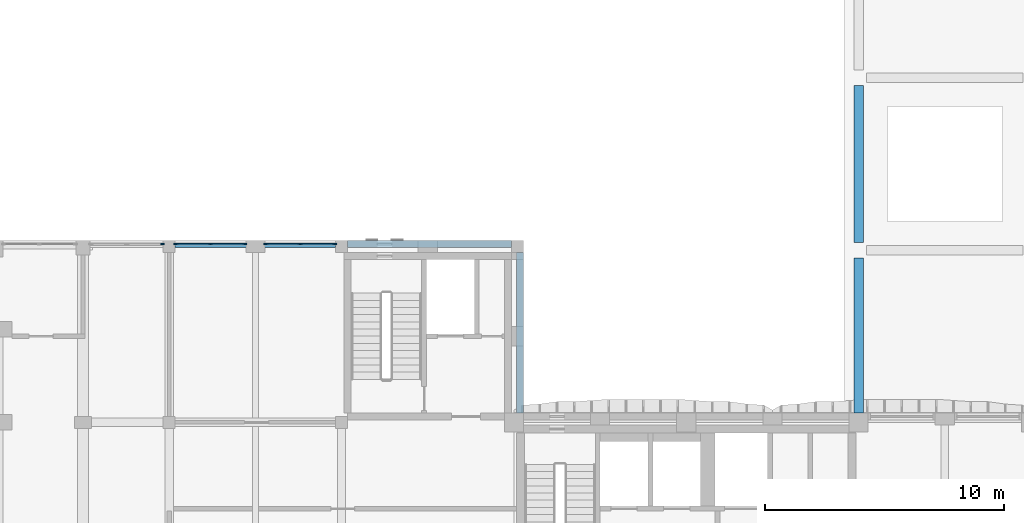
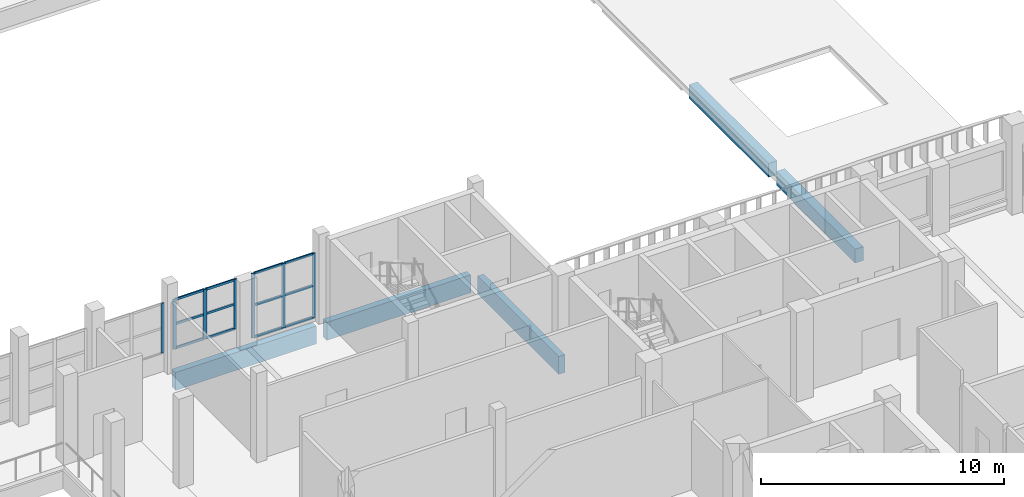
# One storey, part 11 of 59: 19 members, 5 beams, 3 elements without a shape of their own.
"""IFC4 building model written with IfcOpenShell, lengths in metres."""

import ifcopenshell
import ifcopenshell.guid

model = None  # the IFC model being written
_history = None  # IfcOwnerHistory: only IFC2X3 demands one
_inside = {}  # id of a spatial element -> (the spatial element, [elements in it])
_under = {}  # id of a project, library or spatial element -> (it, [spatial elements below it])
_declared = {}  # id of a project -> (the project, [libraries it declares])
_typed = {}  # id of a type object -> (the type object, [elements of that type])
_made_of = {}  # id of a material, layer set ... -> (it, [elements and type objects made of it])


def new_model(schema):
    """Start an empty IFC model of exactly this schema.

    Asked for "IFC4X3", IfcOpenShell would pick the latest addendum, in which some entities
    have other attributes; the version numbers below select the first issue.
    IFC2X3 requires an IfcOwnerHistory on every rooted entity: one is made here for all.
    """
    global model, _history
    if schema == "IFC4X3":
        model = ifcopenshell.file(schema_version=(4, 3, 0, 0))
    else:
        model = ifcopenshell.file(schema=schema)
    _inside.clear()
    _under.clear()
    _declared.clear()
    _typed.clear()
    _made_of.clear()
    _history = None
    if model.schema == "IFC2X3":
        org = make("IfcOrganization", Name="unknown")
        user = make(
            "IfcPersonAndOrganization",
            ThePerson=make("IfcPerson", FamilyName="unknown"),
            TheOrganization=org,
        )
        app = make(
            "IfcApplication",
            ApplicationDeveloper=org,
            Version="unknown",
            ApplicationFullName="unknown",
            ApplicationIdentifier="unknown",
        )
        _history = make(
            "IfcOwnerHistory",
            OwningUser=user,
            OwningApplication=app,
            ChangeAction="ADDED",
            CreationDate=0,
        )
    return model


def make(cls, **values):
    """One entity of the class cls with the attributes given. An attribute that is None is left unset."""
    return model.create_entity(
        cls, **{name: value for name, value in values.items() if value is not None}
    )


def rooted(cls, **values):
    """An entity with a GlobalId (a new one), such as an element, a storey or a relation."""
    return make(cls, GlobalId=ifcopenshell.guid.new(), OwnerHistory=_history, **values)


def si_unit(unit_type, name, prefix=None):
    """IfcSIUnit, for example si_unit("LENGTHUNIT", "METRE", prefix="MILLI")."""
    return make("IfcSIUnit", UnitType=unit_type, Prefix=prefix, Name=name)


def assignment(units):
    """IfcUnitAssignment: the units of a project."""
    return None if units is None else make("IfcUnitAssignment", Units=units)


def point(xyz):
    """IfcCartesianPoint."""
    return None if xyz is None else make("IfcCartesianPoint", Coordinates=xyz)


def direction(xyz):
    """IfcDirection."""
    return None if xyz is None else make("IfcDirection", DirectionRatios=xyz)


def frame(location, z_axis=None, x_axis=None):
    """IfcAxis2Placement3D, a coordinate frame: its origin and axes. An axis left out is left unset."""
    return make(
        "IfcAxis2Placement3D",
        Location=point(location),
        Axis=direction(z_axis),
        RefDirection=direction(x_axis),
    )


def frame_2d(location, x_axis=None):
    """IfcAxis2Placement2D, a coordinate frame in the plane: its origin and x axis."""
    return make(
        "IfcAxis2Placement2D", Location=point(location), RefDirection=direction(x_axis)
    )


def origin():
    """The frame at (0, 0, 0) with its axes left unset."""
    return frame((0.0, 0.0, 0.0))


def origin_2d():
    """The frame at (0, 0) in the plane with its x axis left unset."""
    return frame_2d((0.0, 0.0))


def place(relative_to, where):
    """IfcLocalPlacement: puts the frame where relative to a parent placement (None: the world)."""
    return make(
        "IfcLocalPlacement", PlacementRelTo=relative_to, RelativePlacement=where
    )


def context(
    kind, dimensions, precision=None, world=None, true_north=None, identifier=None
):
    """IfcGeometricRepresentationContext, for example the 3D "Model" context."""
    return make(
        "IfcGeometricRepresentationContext",
        ContextIdentifier=identifier,
        ContextType=kind,
        CoordinateSpaceDimension=dimensions,
        Precision=precision,
        WorldCoordinateSystem=world,
        TrueNorth=true_north,
    )


def subcontext(parent, identifier, kind, view, scale=None):
    """IfcGeometricRepresentationSubContext, for example "Body" below "Model"."""
    return make(
        "IfcGeometricRepresentationSubContext",
        ContextIdentifier=identifier,
        ContextType=kind,
        ParentContext=parent,
        TargetScale=scale,
        TargetView=view,
    )


def project(units=None, contexts=None):
    """IfcProject with its units and contexts."""
    return rooted(
        "IfcProject",
        Name="project",
        RepresentationContexts=contexts,
        UnitsInContext=assignment(units),
    )


def spatial(cls, under=None, at=None, **own):
    """A site, building, storey or space (cls), placed at a placement, below another one or the project."""
    s = rooted(cls, ObjectPlacement=at, **own)
    if under is not None:
        _under.setdefault(under.id(), (under, []))[1].append(s)
    return s


def profile(cls, at=None, kind="AREA", **sizes):
    """A parametric profile (cls). Its sizes go by their IFC names, for example OverallWidth=200.0."""
    return make(cls, ProfileType=kind, Position=at, **sizes)


def rectangle(**sizes):
    """IfcRectangleProfileDef."""
    return profile("IfcRectangleProfileDef", **sizes)


def extrude(swept, where, along, depth):
    """IfcExtrudedAreaSolid: the profile swept, set in the frame where, extruded along a direction by depth."""
    return make(
        "IfcExtrudedAreaSolid",
        SweptArea=swept,
        Position=where,
        ExtrudedDirection=direction(along),
        Depth=depth,
    )


def shape(context_of_items, identifier, shape_type, items):
    """IfcShapeRepresentation: the items that make up one representation, for example the "Body"."""
    return make(
        "IfcShapeRepresentation",
        ContextOfItems=context_of_items,
        RepresentationIdentifier=identifier,
        RepresentationType=shape_type,
        Items=items,
    )


def material(Name=None, Category=None):
    """IfcMaterial."""
    return make("IfcMaterial", Name=Name, Category=Category)


def layer(
    of_material, thickness, ventilated=None, Name=None, Category=None, Priority=None
):
    """IfcMaterialLayer: one layer of a wall or slab, of a material (None: an air gap)."""
    return make(
        "IfcMaterialLayer",
        Material=of_material,
        LayerThickness=thickness,
        IsVentilated=ventilated,
        Name=Name,
        Category=Category,
        Priority=Priority,
    )


def layer_set(layers, Name=None):
    """IfcMaterialLayerSet."""
    return make("IfcMaterialLayerSet", MaterialLayers=layers, LayerSetName=Name)


def material_profile(
    of_material, cross_section, Name=None, Category=None, Priority=None
):
    """IfcMaterialProfile: a cross section and its material."""
    return make(
        "IfcMaterialProfile",
        Name=Name,
        Material=of_material,
        Profile=cross_section,
        Priority=Priority,
        Category=Category,
    )


def profile_set(profiles, Name=None, composite=None):
    """IfcMaterialProfileSet."""
    return make(
        "IfcMaterialProfileSet",
        Name=Name,
        MaterialProfiles=profiles,
        CompositeProfile=composite,
    )


def made_of(thing, what):
    """Note that an element or type object is made of a material, layer set ...; save() writes the relation."""
    if what is not None:
        _made_of.setdefault(what.id(), (what, []))[1].append(thing)
    return thing


def type_object(cls, material=None, **own):
    """A type object (cls), such as IfcWallType, which elements share."""
    return made_of(rooted(cls, **own), material)


def element(
    cls,
    number,
    at=None,
    inside=None,
    cuts=None,
    type_object=None,
    material=None,
    context=None,
    identifier="Body",
    shape_type=None,
    held_by="IfcProductDefinitionShape",
    body=None,
    shapes=None,
    **own,
):
    """One element of the class cls, such as IfcWall. Its Tag is "e" and its number.

    at: its placement. inside: the storey or other place that contains it. cuts: it is an
    opening in that element (IfcRelVoidsElement). A single representation is given by context,
    identifier, shape_type and body (its items); several are given by shapes. held_by: the class
    of the entity that holds the representations. save() writes the other relations.
    """
    e = rooted(cls, Tag="e%d" % number, ObjectPlacement=at, **own)
    if body is not None:
        shapes = [shape(context, identifier, shape_type, body)]
    if shapes is not None:
        e.Representation = make(held_by, Representations=shapes)
    if inside is not None:
        _inside.setdefault(inside.id(), (inside, []))[1].append(e)
    if cuts is not None:
        rooted(
            "IfcRelVoidsElement", RelatingBuildingElement=cuts, RelatedOpeningElement=e
        )
    if type_object is not None:
        _typed.setdefault(type_object.id(), (type_object, []))[1].append(e)
    return made_of(e, material)


def aggregate(whole, parts):
    """IfcRelAggregates: a whole, such as a stair, and the parts it consists of."""
    return rooted("IfcRelAggregates", RelatingObject=whole, RelatedObjects=parts)


def save(model, path):
    """Write the relations noted so far, then the file.

    IfcRelAggregates (storeys below a building ...), IfcRelContainedInSpatialStructure (elements
    in a storey), IfcRelDefinesByType, IfcRelAssociatesMaterial and IfcRelDeclares: one each for
    every whole, place, type object, material and project.
    """
    for whole, parts in _under.values():
        aggregate(whole, parts)
    for where, things in _inside.values():
        rooted(
            "IfcRelContainedInSpatialStructure",
            RelatedElements=things,
            RelatingStructure=where,
        )
    for kind, things in _typed.values():
        rooted("IfcRelDefinesByType", RelatedObjects=things, RelatingType=kind)
    for what, things in _made_of.values():
        rooted("IfcRelAssociatesMaterial", RelatedObjects=things, RelatingMaterial=what)
    for by, libraries in _declared.values():
        rooted("IfcRelDeclares", RelatingContext=by, RelatedDefinitions=libraries)
    model.write(path)


model = new_model("IFC4")

# Units and contexts
model_context = context("Model", 3, precision=1e-05, world=origin(), true_north=direction((0.0, 1.0)))
body_context = subcontext(model_context, "Body", "Model", "MODEL_VIEW")
ifc_project = project(units=[si_unit("LENGTHUNIT", "METRE"), si_unit("AREAUNIT", "SQUARE_METRE"), si_unit("VOLUMEUNIT", "CUBIC_METRE"), si_unit("PLANEANGLEUNIT", "RADIAN"), si_unit("MASSUNIT", "GRAM", prefix="KILO")], contexts=[model_context])

# Site, building, storey
site_placement = place(None, origin())
site = spatial("IfcSite", under=ifc_project, at=site_placement, CompositionType="ELEMENT")
building_placement = place(site_placement, origin())
building = spatial("IfcBuilding", under=site, at=building_placement, Name="Ussher Court Research Institute", CompositionType="ELEMENT")
storey_placement = place(building_placement, frame((0.0, 0.0, 5.39990234375)))
storey = spatial("IfcBuildingStorey", under=building, at=storey_placement, Name="L01", CompositionType="ELEMENT", Elevation=5.39990234375)

# Curtain wall, member
ifc_material_1 = material(Name="Bronze anodised aluminium with insulated low-e glass", Category="aluminium")
ifc_layer_1 = layer(ifc_material_1, 0.1201171875)
ifc_layer_set_1 = layer_set([ifc_layer_1], Name="Bronze anodised aluminium with insulated low-e glass")
curtain_wall_type_1 = type_object("IfcCurtainWallType", Name="Curtain wall reading link court front", PredefinedType="NOTDEFINED", material=ifc_layer_set_1)
curtain_wall_1_placement = place(storey_placement, origin())
curtain_wall_1 = element("IfcCurtainWall", 1, at=curtain_wall_1_placement, inside=storey, type_object=curtain_wall_type_1, Name="Curtain wall CW7 L01", PredefinedType="NOTDEFINED")
ifc_material_2 = material(Name="Bronze anodised aluminium", Category="aluminium")
ifc_material_profile_1 = material_profile(ifc_material_2, rectangle(XDim=0.06005859375, YDim=0.159912109375, at=origin_2d()), Name="Mullion 60x160")
ifc_profile_set_1 = profile_set([ifc_material_profile_1], Name="Bronze anodised aluminium")
member_type_1 = type_object("IfcMemberType", Name="Mullion 60x160", PredefinedType="MULLION", material=ifc_profile_set_1)
member_1_placement = place(storey_placement, frame((67.52001953125, 40.25, 0.900146484375), z_axis=(0.0, 0.0, 1.0), x_axis=(0.0, 1.0, 0.0)))
member_1 = element("IfcMember", 2, at=member_1_placement, type_object=member_type_1, Name="CW7 mullion 3", PredefinedType="MULLION", context=body_context, shape_type="SweptSolid", body=[
    extrude(rectangle(XDim=0.06005859375, YDim=0.159912109375, at=origin_2d()), origin(), (0.0, 0.0, 1.0), 2.5),
])
aggregate(curtain_wall_1, [member_1])

# Curtain wall, members
curtain_wall_2_placement = place(storey_placement, origin())
curtain_wall_2 = element("IfcCurtainWall", 3, at=curtain_wall_2_placement, inside=storey, type_object=curtain_wall_type_1, Name="Curtain wall CW7 L01", PredefinedType="NOTDEFINED")
member_2_placement = place(storey_placement, frame((68.080078125, 40.25, 0.900146484375), z_axis=(0.0, 0.0, 1.0), x_axis=(0.0, 1.0, 0.0)))
member_2 = element("IfcMember", 4, at=member_2_placement, type_object=member_type_1, Name="CW7 mullion 1", PredefinedType="MULLION", context=body_context, shape_type="SweptSolid", body=[
    extrude(rectangle(XDim=0.06005859375, YDim=0.159912109375, at=origin_2d()), origin(), (0.0, 0.0, 1.0), 2.5),
])
member_3_placement = place(storey_placement, frame((69.52490234375, 40.25, 0.900146484375), z_axis=(0.0, 0.0, 1.0), x_axis=(0.0, 1.0, 0.0)))
member_3 = element("IfcMember", 5, at=member_3_placement, type_object=member_type_1, Name="CW7 mullion 2", PredefinedType="MULLION", context=body_context, shape_type="SweptSolid", body=[
    extrude(rectangle(XDim=0.06005859375, YDim=0.159912109375, at=origin_2d()), origin(), (0.0, 0.0, 1.0), 2.5),
])
member_4_placement = place(storey_placement, frame((70.969970703125, 40.25, 0.900146484375), z_axis=(0.0, 0.0, 1.0), x_axis=(0.0, 1.0, 0.0)))
member_4 = element("IfcMember", 6, at=member_4_placement, type_object=member_type_1, Name="CW7 mullion 3", PredefinedType="MULLION", context=body_context, shape_type="SweptSolid", body=[
    extrude(rectangle(XDim=0.06005859375, YDim=0.159912109375, at=origin_2d()), origin(), (0.0, 0.0, 1.0), 2.5),
])

ifc_material_3 = material(Name="Bronze anodised aluminium with fire-resisting glass", Category="aluminium")
ifc_layer_2 = layer(ifc_material_3, 0.1201171875)
ifc_layer_set_2 = layer_set([ifc_layer_2], Name="Bronze anodised aluminium with fire-resisting glass")
curtain_wall_type_2 = type_object("IfcCurtainWallType", Name="Curtain wall stair-side fire-resisting glazing", PredefinedType="NOTDEFINED", material=ifc_layer_set_2)
curtain_wall_3_placement = place(storey_placement, origin())
curtain_wall_3 = element("IfcCurtainWall", 7, at=curtain_wall_3_placement, inside=storey, type_object=curtain_wall_type_2, Name="Curtain wall CW13 L01", PredefinedType="NOTDEFINED")
member_5_placement = place(storey_placement, frame((71.830078125, 40.25, 0.150146484375), z_axis=(0.0, 0.0, 1.0), x_axis=(0.0, 1.0, 0.0)))
member_5 = element("IfcMember", 8, at=member_5_placement, type_object=member_type_1, Name="CW13 mullion 1", PredefinedType="MULLION", context=body_context, shape_type="SweptSolid", body=[
    extrude(rectangle(XDim=0.06005859375, YDim=0.159912109375, at=origin_2d()), origin(), (0.0, 0.0, 1.0), 3.25),
])
member_6_placement = place(storey_placement, frame((73.27490234375, 40.25, 0.150146484375), z_axis=(0.0, 0.0, 1.0), x_axis=(0.0, 1.0, 0.0)))
member_6 = element("IfcMember", 9, at=member_6_placement, type_object=member_type_1, Name="CW13 mullion 2", PredefinedType="MULLION", context=body_context, shape_type="SweptSolid", body=[
    extrude(rectangle(XDim=0.06005859375, YDim=0.159912109375, at=origin_2d()), origin(), (0.0, 0.0, 1.0), 3.25),
])
member_7_placement = place(storey_placement, frame((74.719970703125, 40.25, 0.150146484375), z_axis=(0.0, 0.0, 1.0), x_axis=(0.0, 1.0, 0.0)))
member_7 = element("IfcMember", 10, at=member_7_placement, type_object=member_type_1, Name="CW13 mullion 3", PredefinedType="MULLION", context=body_context, shape_type="SweptSolid", body=[
    extrude(rectangle(XDim=0.06005859375, YDim=0.159912109375, at=origin_2d()), origin(), (0.0, 0.0, 1.0), 3.25),
])

# Beams
ifc_material_4 = material(Name="Concrete C35/45", Category="concrete")
ifc_material_profile_2 = material_profile(ifc_material_4, rectangle(XDim=0.300048828125, YDim=0.89990234375, at=origin_2d()), Name="RC 300x900")
ifc_profile_set_2 = profile_set([ifc_material_profile_2], Name="Concrete C35/45")
beam_type_1 = type_object("IfcBeamType", Name="RC 300x900 beam", PredefinedType="BEAM", material=ifc_profile_set_2)
beam_1_placement = place(storey_placement, frame((68.050048828125, 40.25, -0.64990234375), z_axis=(1.0, 0.0, 0.0), x_axis=(0.0, 1.0, 0.0)))
element("IfcBeam", 11, at=beam_1_placement, inside=storey, type_object=beam_type_1, Name="SB2 V7 L01-09", PredefinedType="BEAM", context=body_context, shape_type="SweptSolid", body=[
    extrude(rectangle(XDim=0.300048828125, YDim=0.89990234375, at=origin_2d()), origin(), (0.0, 0.0, 1.0), 6.699951171875),
])
beam_2_placement = place(storey_placement, frame((75.25, 40.25, -0.64990234375), z_axis=(1.0, 0.0, 0.0), x_axis=(0.0, 1.0, 0.0)))
element("IfcBeam", 12, at=beam_2_placement, inside=storey, type_object=beam_type_1, Name="SB2 V7 L01-10", PredefinedType="BEAM", context=body_context, shape_type="SweptSolid", body=[
    extrude(rectangle(XDim=0.300048828125, YDim=0.89990234375, at=origin_2d()), origin(), (0.0, 0.0, 1.0), 6.85009765625),
])
beam_3_placement = place(storey_placement, frame((82.449951171875, 33.199951171875, -0.64990234375), z_axis=(0.0, 1.0, 0.0), x_axis=(-1.0, 0.0, 0.0)))
element("IfcBeam", 13, at=beam_3_placement, inside=storey, type_object=beam_type_1, Name="SB2 V7 L01-14", PredefinedType="BEAM", context=body_context, shape_type="SweptSolid", body=[
    extrude(rectangle(XDim=0.300048828125, YDim=0.89990234375, at=origin_2d()), origin(), (0.0, 0.0, 1.0), 6.699951171875),
])
ifc_material_5 = material(Name="Concrete C35/45", Category="concrete")
ifc_material_profile_3 = material_profile(ifc_material_5, rectangle(XDim=0.39990234375, YDim=0.699951171875, at=origin_2d()), Name="RC 400x700")
ifc_profile_set_3 = profile_set([ifc_material_profile_3], Name="Concrete C35/45")
beam_type_2 = type_object("IfcBeamType", Name="RC 400x700 beam", PredefinedType="BEAM", material=ifc_profile_set_3)
beam_4_placement = place(storey_placement, frame((96.60009765625, 33.199951171875, -0.08984375), z_axis=(0.0, 1.0, 0.0), x_axis=(-1.0, 0.0, 0.0)))
element("IfcBeam", 14, at=beam_4_placement, inside=storey, type_object=beam_type_2, Name="B7 V8 L01-01", PredefinedType="BEAM", context=body_context, shape_type="SweptSolid", body=[
    extrude(rectangle(XDim=0.39990234375, YDim=0.699951171875, at=origin_2d()), origin(), (0.0, 0.0, 1.0), 6.47509765625),
])
beam_5_placement = place(storey_placement, frame((96.60009765625, 40.324951171875, -0.08984375), z_axis=(0.0, 1.0, 0.0), x_axis=(-1.0, 0.0, 0.0)))
element("IfcBeam", 15, at=beam_5_placement, inside=storey, type_object=beam_type_2, Name="B7 V8 L01-02", PredefinedType="BEAM", context=body_context, shape_type="SweptSolid", body=[
    extrude(rectangle(XDim=0.39990234375, YDim=0.699951171875, at=origin_2d()), origin(), (0.0, 0.0, 1.0), 6.550048828125),
])

# Member
ifc_material_6 = material(Name="Bronze anodised aluminium", Category="aluminium")
ifc_material_profile_4 = material_profile(ifc_material_6, rectangle(XDim=0.06005859375, YDim=0.1201171875, at=origin_2d()), Name="Transom 60x120")
ifc_profile_set_4 = profile_set([ifc_material_profile_4], Name="Bronze anodised aluminium")
member_type_2 = type_object("IfcMemberType", Name="Transom 60x120", PredefinedType="USERDEFINED", material=ifc_profile_set_4)
member_8_placement = place(storey_placement, frame((68.110107421875, 40.25, 0.93017578125), z_axis=(1.0, 0.0, 0.0), x_axis=(0.0, 1.0, 0.0)))
member_8 = element("IfcMember", 16, at=member_8_placement, type_object=member_type_2, Name="CW7 transom 1.1", ObjectType="TRANSOM", PredefinedType="USERDEFINED", context=body_context, shape_type="SweptSolid", body=[
    extrude(rectangle(XDim=0.06005859375, YDim=0.1201171875, at=origin_2d()), origin(), (0.0, 0.0, 1.0), 1.385009765625),
])

member_9_placement = place(storey_placement, frame((68.110107421875, 40.25, 2.150146484375), z_axis=(1.0, 0.0, 0.0), x_axis=(0.0, 1.0, 0.0)))
member_9 = element("IfcMember", 17, at=member_9_placement, type_object=member_type_2, Name="CW7 transom 1.2", ObjectType="TRANSOM", PredefinedType="USERDEFINED", context=body_context, shape_type="SweptSolid", body=[
    extrude(rectangle(XDim=0.06005859375, YDim=0.1201171875, at=origin_2d()), origin(), (0.0, 0.0, 1.0), 1.385009765625),
])

member_10_placement = place(storey_placement, frame((68.110107421875, 40.25, 3.3701171875), z_axis=(1.0, 0.0, 0.0), x_axis=(0.0, 1.0, 0.0)))
member_10 = element("IfcMember", 18, at=member_10_placement, type_object=member_type_2, Name="CW7 transom 1.3", ObjectType="TRANSOM", PredefinedType="USERDEFINED", context=body_context, shape_type="SweptSolid", body=[
    extrude(rectangle(XDim=0.06005859375, YDim=0.1201171875, at=origin_2d()), origin(), (0.0, 0.0, 1.0), 1.385009765625),
])

member_11_placement = place(storey_placement, frame((69.554931640625, 40.25, 0.93017578125), z_axis=(1.0, 0.0, 0.0), x_axis=(0.0, 1.0, 0.0)))
member_11 = element("IfcMember", 19, at=member_11_placement, type_object=member_type_2, Name="CW7 transom 2.1", ObjectType="TRANSOM", PredefinedType="USERDEFINED", context=body_context, shape_type="SweptSolid", body=[
    extrude(rectangle(XDim=0.06005859375, YDim=0.1201171875, at=origin_2d()), origin(), (0.0, 0.0, 1.0), 1.385009765625),
])

member_12_placement = place(storey_placement, frame((69.554931640625, 40.25, 2.150146484375), z_axis=(1.0, 0.0, 0.0), x_axis=(0.0, 1.0, 0.0)))
member_12 = element("IfcMember", 20, at=member_12_placement, type_object=member_type_2, Name="CW7 transom 2.2", ObjectType="TRANSOM", PredefinedType="USERDEFINED", context=body_context, shape_type="SweptSolid", body=[
    extrude(rectangle(XDim=0.06005859375, YDim=0.1201171875, at=origin_2d()), origin(), (0.0, 0.0, 1.0), 1.385009765625),
])

member_13_placement = place(storey_placement, frame((69.554931640625, 40.25, 3.3701171875), z_axis=(1.0, 0.0, 0.0), x_axis=(0.0, 1.0, 0.0)))
member_13 = element("IfcMember", 21, at=member_13_placement, type_object=member_type_2, Name="CW7 transom 2.3", ObjectType="TRANSOM", PredefinedType="USERDEFINED", context=body_context, shape_type="SweptSolid", body=[
    extrude(rectangle(XDim=0.06005859375, YDim=0.1201171875, at=origin_2d()), origin(), (0.0, 0.0, 1.0), 1.385009765625),
])

aggregate(curtain_wall_2, [member_2, member_3, member_4, member_8, member_9, member_10, member_11, member_12, member_13])

member_14_placement = place(storey_placement, frame((71.860107421875, 40.25, 0.18017578125), z_axis=(1.0, 0.0, 0.0), x_axis=(0.0, 1.0, 0.0)))
member_14 = element("IfcMember", 22, at=member_14_placement, type_object=member_type_2, Name="CW13 transom 1.1", ObjectType="TRANSOM", PredefinedType="USERDEFINED", context=body_context, shape_type="SweptSolid", body=[
    extrude(rectangle(XDim=0.06005859375, YDim=0.1201171875, at=origin_2d()), origin(), (0.0, 0.0, 1.0), 1.385009765625),
])

member_15_placement = place(storey_placement, frame((71.860107421875, 40.25, 1.775146484375), z_axis=(1.0, 0.0, 0.0), x_axis=(0.0, 1.0, 0.0)))
member_15 = element("IfcMember", 23, at=member_15_placement, type_object=member_type_2, Name="CW13 transom 1.2", ObjectType="TRANSOM", PredefinedType="USERDEFINED", context=body_context, shape_type="SweptSolid", body=[
    extrude(rectangle(XDim=0.06005859375, YDim=0.1201171875, at=origin_2d()), origin(), (0.0, 0.0, 1.0), 1.385009765625),
])

member_16_placement = place(storey_placement, frame((71.860107421875, 40.25, 3.3701171875), z_axis=(1.0, 0.0, 0.0), x_axis=(0.0, 1.0, 0.0)))
member_16 = element("IfcMember", 24, at=member_16_placement, type_object=member_type_2, Name="CW13 transom 1.3", ObjectType="TRANSOM", PredefinedType="USERDEFINED", context=body_context, shape_type="SweptSolid", body=[
    extrude(rectangle(XDim=0.06005859375, YDim=0.1201171875, at=origin_2d()), origin(), (0.0, 0.0, 1.0), 1.385009765625),
])

member_17_placement = place(storey_placement, frame((73.304931640625, 40.25, 0.18017578125), z_axis=(1.0, 0.0, 0.0), x_axis=(0.0, 1.0, 0.0)))
member_17 = element("IfcMember", 25, at=member_17_placement, type_object=member_type_2, Name="CW13 transom 2.1", ObjectType="TRANSOM", PredefinedType="USERDEFINED", context=body_context, shape_type="SweptSolid", body=[
    extrude(rectangle(XDim=0.06005859375, YDim=0.1201171875, at=origin_2d()), origin(), (0.0, 0.0, 1.0), 1.385009765625),
])

member_18_placement = place(storey_placement, frame((73.304931640625, 40.25, 1.775146484375), z_axis=(1.0, 0.0, 0.0), x_axis=(0.0, 1.0, 0.0)))
member_18 = element("IfcMember", 26, at=member_18_placement, type_object=member_type_2, Name="CW13 transom 2.2", ObjectType="TRANSOM", PredefinedType="USERDEFINED", context=body_context, shape_type="SweptSolid", body=[
    extrude(rectangle(XDim=0.06005859375, YDim=0.1201171875, at=origin_2d()), origin(), (0.0, 0.0, 1.0), 1.385009765625),
])

member_19_placement = place(storey_placement, frame((73.304931640625, 40.25, 3.3701171875), z_axis=(1.0, 0.0, 0.0), x_axis=(0.0, 1.0, 0.0)))
member_19 = element("IfcMember", 27, at=member_19_placement, type_object=member_type_2, Name="CW13 transom 2.3", ObjectType="TRANSOM", PredefinedType="USERDEFINED", context=body_context, shape_type="SweptSolid", body=[
    extrude(rectangle(XDim=0.06005859375, YDim=0.1201171875, at=origin_2d()), origin(), (0.0, 0.0, 1.0), 1.385009765625),
])

aggregate(curtain_wall_3, [member_5, member_6, member_7, member_14, member_15, member_16, member_17, member_18, member_19])

save(model, "model.ifc")
